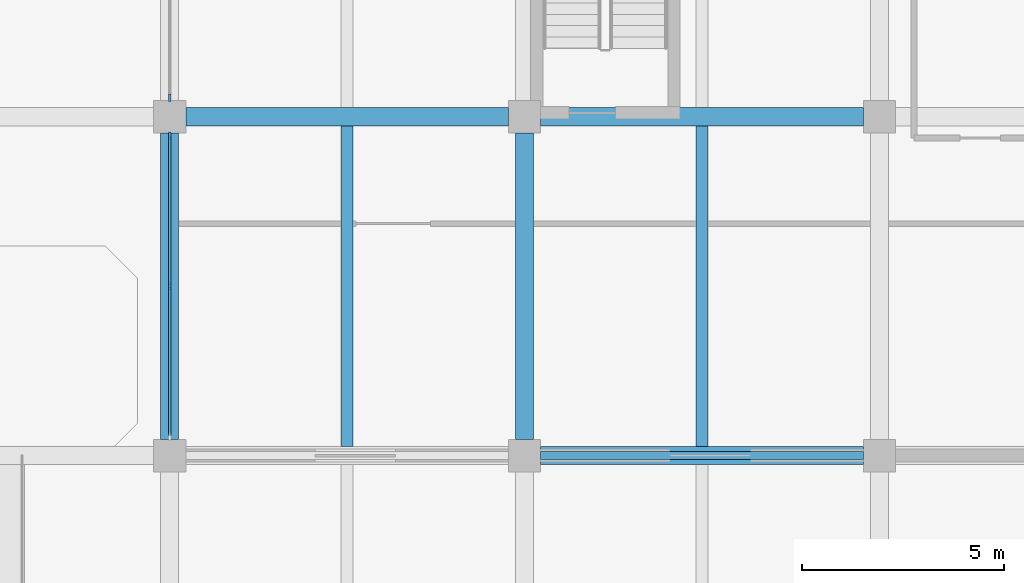
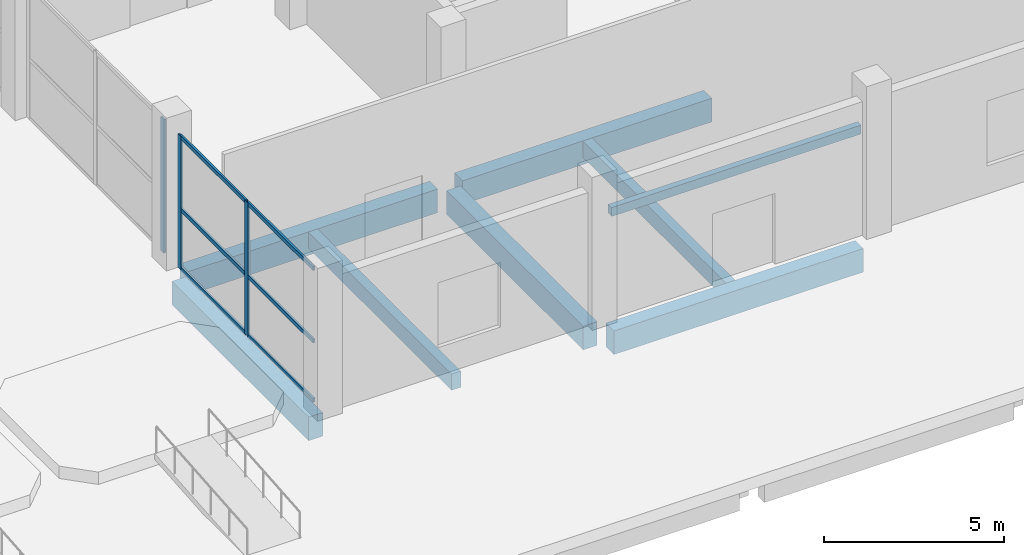
# One storey, part 8 of 34: 9 members, 8 beams, 2 elements without a shape of their own.
"""IFC4 building model written with IfcOpenShell, lengths in metres."""

import ifcopenshell
import ifcopenshell.guid

model = None  # the IFC model being written
_history = None  # IfcOwnerHistory: only IFC2X3 demands one
_inside = {}  # id of a spatial element -> (the spatial element, [elements in it])
_under = {}  # id of a project, library or spatial element -> (it, [spatial elements below it])
_declared = {}  # id of a project -> (the project, [libraries it declares])
_typed = {}  # id of a type object -> (the type object, [elements of that type])
_made_of = {}  # id of a material, layer set ... -> (it, [elements and type objects made of it])


def new_model(schema):
    """Start an empty IFC model of exactly this schema.

    Asked for "IFC4X3", IfcOpenShell would pick the latest addendum, in which some entities
    have other attributes; the version numbers below select the first issue.
    IFC2X3 requires an IfcOwnerHistory on every rooted entity: one is made here for all.
    """
    global model, _history
    if schema == "IFC4X3":
        model = ifcopenshell.file(schema_version=(4, 3, 0, 0))
    else:
        model = ifcopenshell.file(schema=schema)
    _inside.clear()
    _under.clear()
    _declared.clear()
    _typed.clear()
    _made_of.clear()
    _history = None
    if model.schema == "IFC2X3":
        org = make("IfcOrganization", Name="unknown")
        user = make(
            "IfcPersonAndOrganization",
            ThePerson=make("IfcPerson", FamilyName="unknown"),
            TheOrganization=org,
        )
        app = make(
            "IfcApplication",
            ApplicationDeveloper=org,
            Version="unknown",
            ApplicationFullName="unknown",
            ApplicationIdentifier="unknown",
        )
        _history = make(
            "IfcOwnerHistory",
            OwningUser=user,
            OwningApplication=app,
            ChangeAction="ADDED",
            CreationDate=0,
        )
    return model


def make(cls, **values):
    """One entity of the class cls with the attributes given. An attribute that is None is left unset."""
    return model.create_entity(
        cls, **{name: value for name, value in values.items() if value is not None}
    )


def rooted(cls, **values):
    """An entity with a GlobalId (a new one), such as an element, a storey or a relation."""
    return make(cls, GlobalId=ifcopenshell.guid.new(), OwnerHistory=_history, **values)


def si_unit(unit_type, name, prefix=None):
    """IfcSIUnit, for example si_unit("LENGTHUNIT", "METRE", prefix="MILLI")."""
    return make("IfcSIUnit", UnitType=unit_type, Prefix=prefix, Name=name)


def assignment(units):
    """IfcUnitAssignment: the units of a project."""
    return None if units is None else make("IfcUnitAssignment", Units=units)


def point(xyz):
    """IfcCartesianPoint."""
    return None if xyz is None else make("IfcCartesianPoint", Coordinates=xyz)


def direction(xyz):
    """IfcDirection."""
    return None if xyz is None else make("IfcDirection", DirectionRatios=xyz)


def frame(location, z_axis=None, x_axis=None):
    """IfcAxis2Placement3D, a coordinate frame: its origin and axes. An axis left out is left unset."""
    return make(
        "IfcAxis2Placement3D",
        Location=point(location),
        Axis=direction(z_axis),
        RefDirection=direction(x_axis),
    )


def frame_2d(location, x_axis=None):
    """IfcAxis2Placement2D, a coordinate frame in the plane: its origin and x axis."""
    return make(
        "IfcAxis2Placement2D", Location=point(location), RefDirection=direction(x_axis)
    )


def origin():
    """The frame at (0, 0, 0) with its axes left unset."""
    return frame((0.0, 0.0, 0.0))


def origin_2d():
    """The frame at (0, 0) in the plane with its x axis left unset."""
    return frame_2d((0.0, 0.0))


def place(relative_to, where):
    """IfcLocalPlacement: puts the frame where relative to a parent placement (None: the world)."""
    return make(
        "IfcLocalPlacement", PlacementRelTo=relative_to, RelativePlacement=where
    )


def context(
    kind, dimensions, precision=None, world=None, true_north=None, identifier=None
):
    """IfcGeometricRepresentationContext, for example the 3D "Model" context."""
    return make(
        "IfcGeometricRepresentationContext",
        ContextIdentifier=identifier,
        ContextType=kind,
        CoordinateSpaceDimension=dimensions,
        Precision=precision,
        WorldCoordinateSystem=world,
        TrueNorth=true_north,
    )


def subcontext(parent, identifier, kind, view, scale=None):
    """IfcGeometricRepresentationSubContext, for example "Body" below "Model"."""
    return make(
        "IfcGeometricRepresentationSubContext",
        ContextIdentifier=identifier,
        ContextType=kind,
        ParentContext=parent,
        TargetScale=scale,
        TargetView=view,
    )


def project(units=None, contexts=None):
    """IfcProject with its units and contexts."""
    return rooted(
        "IfcProject",
        Name="project",
        RepresentationContexts=contexts,
        UnitsInContext=assignment(units),
    )


def spatial(cls, under=None, at=None, **own):
    """A site, building, storey or space (cls), placed at a placement, below another one or the project."""
    s = rooted(cls, ObjectPlacement=at, **own)
    if under is not None:
        _under.setdefault(under.id(), (under, []))[1].append(s)
    return s


def profile(cls, at=None, kind="AREA", **sizes):
    """A parametric profile (cls). Its sizes go by their IFC names, for example OverallWidth=200.0."""
    return make(cls, ProfileType=kind, Position=at, **sizes)


def rectangle(**sizes):
    """IfcRectangleProfileDef."""
    return profile("IfcRectangleProfileDef", **sizes)


def extrude(swept, where, along, depth):
    """IfcExtrudedAreaSolid: the profile swept, set in the frame where, extruded along a direction by depth."""
    return make(
        "IfcExtrudedAreaSolid",
        SweptArea=swept,
        Position=where,
        ExtrudedDirection=direction(along),
        Depth=depth,
    )


def shape(context_of_items, identifier, shape_type, items):
    """IfcShapeRepresentation: the items that make up one representation, for example the "Body"."""
    return make(
        "IfcShapeRepresentation",
        ContextOfItems=context_of_items,
        RepresentationIdentifier=identifier,
        RepresentationType=shape_type,
        Items=items,
    )


def material(Name=None, Category=None):
    """IfcMaterial."""
    return make("IfcMaterial", Name=Name, Category=Category)


def material_profile(
    of_material, cross_section, Name=None, Category=None, Priority=None
):
    """IfcMaterialProfile: a cross section and its material."""
    return make(
        "IfcMaterialProfile",
        Name=Name,
        Material=of_material,
        Profile=cross_section,
        Priority=Priority,
        Category=Category,
    )


def profile_set(profiles, Name=None, composite=None):
    """IfcMaterialProfileSet."""
    return make(
        "IfcMaterialProfileSet",
        Name=Name,
        MaterialProfiles=profiles,
        CompositeProfile=composite,
    )


def made_of(thing, what):
    """Note that an element or type object is made of a material, layer set ...; save() writes the relation."""
    if what is not None:
        _made_of.setdefault(what.id(), (what, []))[1].append(thing)
    return thing


def type_object(cls, material=None, **own):
    """A type object (cls), such as IfcWallType, which elements share."""
    return made_of(rooted(cls, **own), material)


def element(
    cls,
    number,
    at=None,
    inside=None,
    cuts=None,
    type_object=None,
    material=None,
    context=None,
    identifier="Body",
    shape_type=None,
    held_by="IfcProductDefinitionShape",
    body=None,
    shapes=None,
    **own,
):
    """One element of the class cls, such as IfcWall. Its Tag is "e" and its number.

    at: its placement. inside: the storey or other place that contains it. cuts: it is an
    opening in that element (IfcRelVoidsElement). A single representation is given by context,
    identifier, shape_type and body (its items); several are given by shapes. held_by: the class
    of the entity that holds the representations. save() writes the other relations.
    """
    e = rooted(cls, Tag="e%d" % number, ObjectPlacement=at, **own)
    if body is not None:
        shapes = [shape(context, identifier, shape_type, body)]
    if shapes is not None:
        e.Representation = make(held_by, Representations=shapes)
    if inside is not None:
        _inside.setdefault(inside.id(), (inside, []))[1].append(e)
    if cuts is not None:
        rooted(
            "IfcRelVoidsElement", RelatingBuildingElement=cuts, RelatedOpeningElement=e
        )
    if type_object is not None:
        _typed.setdefault(type_object.id(), (type_object, []))[1].append(e)
    return made_of(e, material)


def aggregate(whole, parts):
    """IfcRelAggregates: a whole, such as a stair, and the parts it consists of."""
    return rooted("IfcRelAggregates", RelatingObject=whole, RelatedObjects=parts)


def save(model, path):
    """Write the relations noted so far, then the file.

    IfcRelAggregates (storeys below a building ...), IfcRelContainedInSpatialStructure (elements
    in a storey), IfcRelDefinesByType, IfcRelAssociatesMaterial and IfcRelDeclares: one each for
    every whole, place, type object, material and project.
    """
    for whole, parts in _under.values():
        aggregate(whole, parts)
    for where, things in _inside.values():
        rooted(
            "IfcRelContainedInSpatialStructure",
            RelatedElements=things,
            RelatingStructure=where,
        )
    for kind, things in _typed.values():
        rooted("IfcRelDefinesByType", RelatedObjects=things, RelatingType=kind)
    for what, things in _made_of.values():
        rooted("IfcRelAssociatesMaterial", RelatedObjects=things, RelatingMaterial=what)
    for by, libraries in _declared.values():
        rooted("IfcRelDeclares", RelatingContext=by, RelatedDefinitions=libraries)
    model.write(path)


model = new_model("IFC4")

# Units and contexts
model_context = context("Model", 3, precision=1e-05, world=origin(), true_north=direction((0.0, 1.0)))
body_context = subcontext(model_context, "Body", "Model", "MODEL_VIEW")
ifc_project = project(units=[si_unit("LENGTHUNIT", "METRE"), si_unit("AREAUNIT", "SQUARE_METRE"), si_unit("VOLUMEUNIT", "CUBIC_METRE"), si_unit("PLANEANGLEUNIT", "RADIAN"), si_unit("MASSUNIT", "GRAM", prefix="KILO")], contexts=[model_context])

# Site, building, storey
site_placement = place(None, origin())
site = spatial("IfcSite", under=ifc_project, at=site_placement, CompositionType="ELEMENT")
building_placement = place(site_placement, origin())
building = spatial("IfcBuilding", under=site, at=building_placement, Name="Brinegate Botanical Conservatory", CompositionType="ELEMENT")
storey_placement = place(building_placement, origin())
storey = spatial("IfcBuildingStorey", under=building, at=storey_placement, Name="L01", CompositionType="ELEMENT", Elevation=0.0)

# Beams
ifc_material_1 = material(Name="Concrete C40/50", Category="concrete")
ifc_material_profile_1 = material_profile(ifc_material_1, rectangle(XDim=0.449951171875, YDim=0.800048828125, at=origin_2d()), Name="RC BM 450x800")
ifc_profile_set_1 = profile_set([ifc_material_profile_1], Name="Concrete C40/50")
beam_type_1 = type_object("IfcBeamType", Name="Beam_BM-G1", PredefinedType="BEAM", material=ifc_profile_set_1)
for number, where, z_axis, x_axis, name in (
    (1, (60.0, 86.800048828125, -0.804931640625), (1.0, 0.0, 0.0), (0.0, 1.0, 0.0), "Beam BM-G1 L01 L:8-9"),
    (2, (51.199951171875, 95.199951171875, -0.804931640625), (1.0, 0.0, 0.0), (0.0, 1.0, 0.0), "Beam BM-G1 L01 M:7-8"),
    (3, (60.0, 95.199951171875, -0.804931640625), (1.0, 0.0, 0.0), (0.0, 1.0, 0.0), "Beam BM-G1 L01 M:8-9"),
):
    element("IfcBeam", number, at=place(storey_placement, frame(where, z_axis=z_axis, x_axis=x_axis)), inside=storey, type_object=beam_type_1, Name=name, PredefinedType="BEAM", context=body_context, shape_type="SweptSolid", body=[
        extrude(rectangle(XDim=0.449951171875, YDim=0.800048828125, at=origin_2d()), origin(), (0.0, 0.0, 1.0), 8.0),
    ])
for number, where, z_axis, x_axis, name in (
    (4, (50.800048828125, 87.199951171875, -0.804931640625), (0.0, 1.0, 0.0), (-1.0, 0.0, 0.0), "Beam BM-G1 L01 7:L-M"),
    (5, (59.60009765625, 87.199951171875, -0.804931640625), (0.0, 1.0, 0.0), (-1.0, 0.0, 0.0), "Beam BM-G1 L01 8:L-M"),
):
    element("IfcBeam", number, at=place(storey_placement, frame(where, z_axis=z_axis, x_axis=x_axis)), inside=storey, type_object=beam_type_1, Name=name, PredefinedType="BEAM", context=body_context, shape_type="SweptSolid", body=[
        extrude(rectangle(XDim=0.449951171875, YDim=0.800048828125, at=origin_2d()), origin(), (0.0, 0.0, 1.0), 7.60009765625),
    ])
ifc_material_profile_2 = material_profile(ifc_material_1, rectangle(XDim=0.300048828125, YDim=0.550048828125, at=origin_2d()), Name="RC JST 300x550")
ifc_profile_set_2 = profile_set([ifc_material_profile_2], Name="Concrete C40/50")
beam_type_2 = type_object("IfcBeamType", Name="Beam_JS-C1", PredefinedType="JOIST", material=ifc_profile_set_2)
for number, where, z_axis, x_axis, name in (
    (6, (55.199951171875, 87.02490234375, -0.679931640625), (0.0, 1.0, 0.0), (-1.0, 0.0, 0.0), "Floor joist JS-C1 L01 bay 7.11"),
    (7, (64.0, 87.02490234375, -0.679931640625), (0.0, 1.0, 0.0), (-1.0, 0.0, 0.0), "Floor joist JS-C1 L01 bay 8.11"),
):
    element("IfcBeam", number, at=place(storey_placement, frame(where, z_axis=z_axis, x_axis=x_axis)), inside=storey, type_object=beam_type_2, Name=name, PredefinedType="JOIST", context=body_context, shape_type="SweptSolid", body=[
        extrude(rectangle(XDim=0.300048828125, YDim=0.550048828125, at=origin_2d()), origin(), (0.0, 0.0, 1.0), 7.9501953125),
    ])
ifc_material_2 = material(Name="Precast concrete C40/50", Category="concrete")
ifc_material_profile_3 = material_profile(ifc_material_2, rectangle(XDim=0.199951171875, YDim=0.300048828125, at=origin_2d()), Name="RC LNT 200x300")
ifc_profile_set_3 = profile_set([ifc_material_profile_3], Name="Precast concrete C40/50")
beam_type_3 = type_object("IfcBeamType", Name="Beam_LN-02", PredefinedType="LINTEL", material=ifc_profile_set_3)
beam_placement = place(storey_placement, frame((60.0, 86.800048828125, 3.550048828125), z_axis=(1.0, 0.0, 0.0), x_axis=(0.0, 1.0, 0.0)))
element("IfcBeam", 8, at=beam_placement, inside=storey, type_object=beam_type_3, Name="Warehouse opening lintel LN-02 10", PredefinedType="LINTEL", context=body_context, shape_type="SweptSolid", body=[
    extrude(rectangle(XDim=0.199951171875, YDim=0.300048828125, at=origin_2d()), origin(), (0.0, 0.0, 1.0), 8.0),
])

# Curtain wall, members
ifc_material_3 = material(Name="Thermally broken anodised aluminium AW-6063-T6", Category="aluminium")
curtain_wall_type = type_object("IfcCurtainWallType", Name="CW_CW-V3", PredefinedType="USERDEFINED", material=ifc_material_3)
curtain_wall_1_placement = place(storey_placement, origin())
curtain_wall_1 = element("IfcCurtainWall", 9, at=curtain_wall_1_placement, inside=storey, type_object=curtain_wall_type, Name="Visitor west forecourt curtain wall L01.1", ObjectType="FACTORY CURTAIN WALL", PredefinedType="USERDEFINED")
ifc_material_profile_4 = material_profile(ifc_material_3, rectangle(XDim=0.06494140625, YDim=0.179931640625, at=origin_2d()), Name="ALUM MULLION 65x180")
ifc_profile_set_4 = profile_set([ifc_material_profile_4], Name="Thermally broken anodised aluminium AW-6063-T6")
member_type_1 = type_object("IfcMemberType", Name="Member_ML-02", PredefinedType="MULLION", material=ifc_profile_set_4)
member_1_placement = place(storey_placement, frame((50.800048828125, 91.0, 0.0), z_axis=(0.0, 0.0, 1.0), x_axis=(-1.0, 0.0, 0.0)))
member_1 = element("IfcMember", 10, at=member_1_placement, type_object=member_type_1, Name="CW-V3 mullion 2", PredefinedType="MULLION", context=body_context, shape_type="SweptSolid", body=[
    extrude(rectangle(XDim=0.06494140625, YDim=0.179931640625, at=origin_2d()), origin(), (0.0, 0.0, 1.0), 4.530029296875),
])
member_2_placement = place(storey_placement, frame((50.800048828125, 94.7275390625, 0.0), z_axis=(0.0, 0.0, 1.0), x_axis=(-1.0, 0.0, 0.0)))
member_2 = element("IfcMember", 11, at=member_2_placement, type_object=member_type_1, Name="CW-V3 mullion 3", PredefinedType="MULLION", context=body_context, shape_type="SweptSolid", body=[
    extrude(rectangle(XDim=0.06494140625, YDim=0.179931640625, at=origin_2d()), origin(), (0.0, 0.0, 1.0), 4.530029296875),
])

# Curtain wall, member
curtain_wall_2_placement = place(storey_placement, origin())
curtain_wall_2 = element("IfcCurtainWall", 12, at=curtain_wall_2_placement, inside=storey, type_object=curtain_wall_type, Name="Visitor west forecourt curtain wall L01.2", ObjectType="FACTORY CURTAIN WALL", PredefinedType="USERDEFINED")
member_3_placement = place(storey_placement, frame((50.800048828125, 95.672607421875, 0.0), z_axis=(0.0, 0.0, 1.0), x_axis=(-1.0, 0.0, 0.0)))
member_3 = element("IfcMember", 13, at=member_3_placement, type_object=member_type_1, Name="CW-V3 mullion 1", PredefinedType="MULLION", context=body_context, shape_type="SweptSolid", body=[
    extrude(rectangle(XDim=0.06494140625, YDim=0.179931640625, at=origin_2d()), origin(), (0.0, 0.0, 1.0), 4.530029296875),
])
aggregate(curtain_wall_2, [member_3])

# Member
ifc_material_profile_5 = material_profile(ifc_material_3, rectangle(XDim=0.06494140625, YDim=0.135009765625, at=origin_2d()), Name="ALUM TRANSOM 65x135")
ifc_profile_set_5 = profile_set([ifc_material_profile_5], Name="Thermally broken anodised aluminium AW-6063-T6")
member_type_2 = type_object("IfcMemberType", Name="Member_TR-02", PredefinedType="USERDEFINED", material=ifc_profile_set_5)
member_4_placement = place(storey_placement, frame((50.800048828125, 87.304931640625, 0.032470703125), z_axis=(0.0, 1.0, 0.0), x_axis=(-1.0, 0.0, 0.0)))
member_4 = element("IfcMember", 14, at=member_4_placement, type_object=member_type_2, Name="CW-V3 transom 1.1", ObjectType="TRANSOM", PredefinedType="USERDEFINED", context=body_context, shape_type="SweptSolid", body=[
    extrude(rectangle(XDim=0.06494140625, YDim=0.135009765625, at=origin_2d()), origin(), (0.0, 0.0, 1.0), 3.66259765625),
])

member_5_placement = place(storey_placement, frame((50.800048828125, 87.304931640625, 2.0380859375), z_axis=(0.0, 1.0, 0.0), x_axis=(-1.0, 0.0, 0.0)))
member_5 = element("IfcMember", 15, at=member_5_placement, type_object=member_type_2, Name="CW-V3 transom 1.2", ObjectType="TRANSOM", PredefinedType="USERDEFINED", context=body_context, shape_type="SweptSolid", body=[
    extrude(rectangle(XDim=0.06494140625, YDim=0.135009765625, at=origin_2d()), origin(), (0.0, 0.0, 1.0), 3.66259765625),
])

member_6_placement = place(storey_placement, frame((50.800048828125, 87.304931640625, 4.49755859375), z_axis=(0.0, 1.0, 0.0), x_axis=(-1.0, 0.0, 0.0)))
member_6 = element("IfcMember", 16, at=member_6_placement, type_object=member_type_2, Name="CW-V3 transom 1.3", ObjectType="TRANSOM", PredefinedType="USERDEFINED", context=body_context, shape_type="SweptSolid", body=[
    extrude(rectangle(XDim=0.06494140625, YDim=0.135009765625, at=origin_2d()), origin(), (0.0, 0.0, 1.0), 3.66259765625),
])

member_7_placement = place(storey_placement, frame((50.800048828125, 91.032470703125, 0.032470703125), z_axis=(0.0, 1.0, 0.0), x_axis=(-1.0, 0.0, 0.0)))
member_7 = element("IfcMember", 17, at=member_7_placement, type_object=member_type_2, Name="CW-V3 transom 2.1", ObjectType="TRANSOM", PredefinedType="USERDEFINED", context=body_context, shape_type="SweptSolid", body=[
    extrude(rectangle(XDim=0.06494140625, YDim=0.135009765625, at=origin_2d()), origin(), (0.0, 0.0, 1.0), 3.66259765625),
])

member_8_placement = place(storey_placement, frame((50.800048828125, 91.032470703125, 2.0380859375), z_axis=(0.0, 1.0, 0.0), x_axis=(-1.0, 0.0, 0.0)))
member_8 = element("IfcMember", 18, at=member_8_placement, type_object=member_type_2, Name="CW-V3 transom 2.2", ObjectType="TRANSOM", PredefinedType="USERDEFINED", context=body_context, shape_type="SweptSolid", body=[
    extrude(rectangle(XDim=0.06494140625, YDim=0.135009765625, at=origin_2d()), origin(), (0.0, 0.0, 1.0), 3.66259765625),
])

member_9_placement = place(storey_placement, frame((50.800048828125, 91.032470703125, 4.49755859375), z_axis=(0.0, 1.0, 0.0), x_axis=(-1.0, 0.0, 0.0)))
member_9 = element("IfcMember", 19, at=member_9_placement, type_object=member_type_2, Name="CW-V3 transom 2.3", ObjectType="TRANSOM", PredefinedType="USERDEFINED", context=body_context, shape_type="SweptSolid", body=[
    extrude(rectangle(XDim=0.06494140625, YDim=0.135009765625, at=origin_2d()), origin(), (0.0, 0.0, 1.0), 3.66259765625),
])

aggregate(curtain_wall_1, [member_1, member_2, member_4, member_5, member_6, member_7, member_8, member_9])

save(model, "model.ifc")
